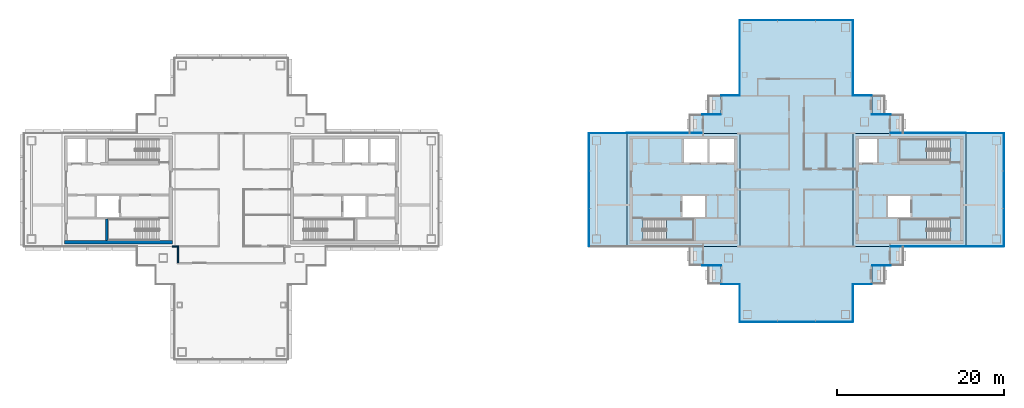
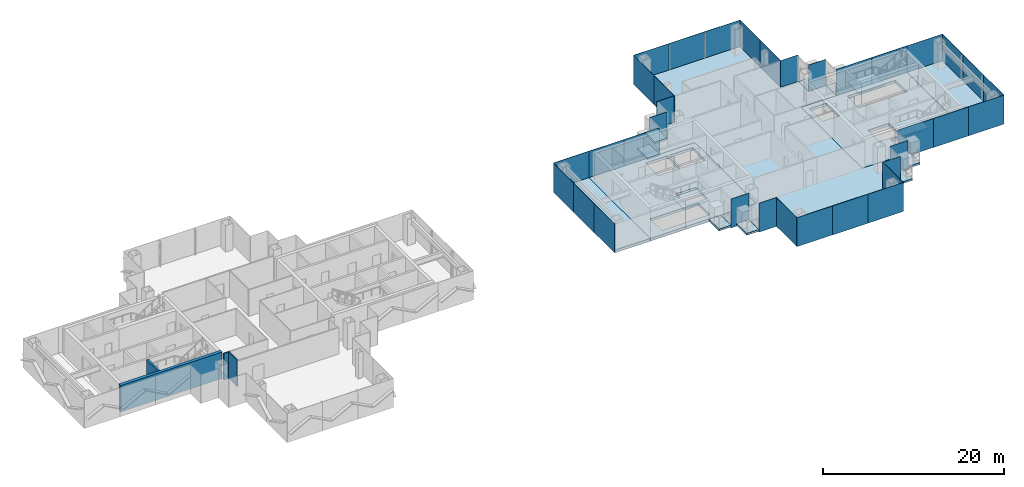
# One storey, part 8 of 17: 35 plates, 16 slabs, 4 walls, 21 elements without a shape of their own.
"""IFC4 building model written with IfcOpenShell, lengths in metres."""

from ifc_helpers import new_model, si_unit, direction, frame, frame_2d, origin, origin_2d, place, context, subcontext, project, spatial, polyline, rectangle, outline, extrude, material, layer, layer_set, type_object, element, aggregate, save


model = new_model("IFC4")

# Units and contexts
model_context = context("Model", 3, precision=1e-05, world=origin(), true_north=direction((0.0, 1.0)))
body_context = subcontext(model_context, "Body", "Model", "MODEL_VIEW")
ifc_project = project(units=[si_unit("LENGTHUNIT", "METRE"), si_unit("AREAUNIT", "SQUARE_METRE"), si_unit("VOLUMEUNIT", "CUBIC_METRE"), si_unit("PLANEANGLEUNIT", "RADIAN"), si_unit("MASSUNIT", "GRAM", prefix="KILO")], contexts=[model_context])

# Site, building, storey
site_placement = place(None, origin())
site = spatial("IfcSite", under=ifc_project, at=site_placement, CompositionType="ELEMENT")
building_placement = place(site_placement, origin())
building = spatial("IfcBuilding", under=site, at=building_placement, Name="Shamsa Quay Exchange Towers", CompositionType="ELEMENT")
storey_placement = place(building_placement, frame((0.0, 0.0, 194.39990234375)))
storey = spatial("IfcBuildingStorey", under=building, at=storey_placement, Name="L46", CompositionType="ELEMENT", Elevation=194.39990234375)

# Slabs
ifc_material_1 = material(Name="Precast concrete C40/50", Category="concrete")
ifc_layer_1 = layer(ifc_material_1, 0.25)
ifc_layer_set_1 = layer_set([ifc_layer_1], Name="BALCONY SLAB 250")
slab_type_1 = type_object("IfcSlabType", Name="BALCONY SLAB 250", PredefinedType="FLOOR", material=ifc_layer_set_1)
slab_1_placement = place(storey_placement, frame((0.0, 0.0, -0.25)))
element("IfcSlab", 1, at=slab_1_placement, inside=storey, type_object=slab_type_1, Name="Balcony T2-PKEN L46", PredefinedType="FLOOR", context=body_context, shape_type="SweptSolid", body=[
    extrude(outline(polyline([(24.75, 11.25), (24.75, 9.0380859375), (23.199951171875, 9.0380859375), (23.199951171875, 11.25), (24.75, 11.25)])), origin(), (0.0, 0.0, 1.0), 0.25),
])
slab_2_placement = place(storey_placement, frame((0.0, 0.0, -0.25)))
element("IfcSlab", 2, at=slab_2_placement, inside=storey, type_object=slab_type_1, Name="Balcony T2-PKEN L46", PredefinedType="FLOOR", context=body_context, shape_type="SweptSolid", body=[
    extrude(outline(polyline([(22.5, 9.0), (22.5, 6.7880859375), (20.949951171875, 6.7880859375), (20.949951171875, 9.0), (22.5, 9.0)])), origin(), (0.0, 0.0, 1.0), 0.25),
])
slab_3_placement = place(storey_placement, frame((0.0, 0.0, -0.25)))
element("IfcSlab", 3, at=slab_3_placement, inside=storey, type_object=slab_type_1, Name="Balcony T2-PKES L46", PredefinedType="FLOOR", context=body_context, shape_type="SweptSolid", body=[
    extrude(outline(polyline([(42.75, 9.0380859375), (42.75, 11.25), (44.300048828125, 11.25), (44.300048828125, 9.0380859375), (42.75, 9.0380859375)])), origin(), (0.0, 0.0, 1.0), 0.25),
])
slab_4_placement = place(storey_placement, frame((0.0, 0.0, -0.25)))
element("IfcSlab", 4, at=slab_4_placement, inside=storey, type_object=slab_type_1, Name="Balcony T2-PKES L46", PredefinedType="FLOOR", context=body_context, shape_type="SweptSolid", body=[
    extrude(outline(polyline([(45.0, 6.7880859375), (45.0, 9.0), (46.550048828125, 9.0), (46.550048828125, 6.7880859375), (45.0, 6.7880859375)])), origin(), (0.0, 0.0, 1.0), 0.25),
])
slab_5_placement = place(storey_placement, frame((0.0, 0.0, -0.25)))
element("IfcSlab", 5, at=slab_5_placement, inside=storey, type_object=slab_type_1, Name="Balcony T2-PKWN L46", PredefinedType="FLOOR", context=body_context, shape_type="SweptSolid", body=[
    extrude(outline(polyline([(22.5, -6.7880859375), (22.5, -9.0), (20.949951171875, -9.0), (20.949951171875, -6.7880859375), (22.5, -6.7880859375)])), origin(), (0.0, 0.0, 1.0), 0.25),
])
slab_6_placement = place(storey_placement, frame((0.0, 0.0, -0.25)))
element("IfcSlab", 6, at=slab_6_placement, inside=storey, type_object=slab_type_1, Name="Balcony T2-PKWN L46", PredefinedType="FLOOR", context=body_context, shape_type="SweptSolid", body=[
    extrude(outline(polyline([(24.75, -9.0380859375), (24.75, -11.25), (23.199951171875, -11.25), (23.199951171875, -9.0380859375), (24.75, -9.0380859375)])), origin(), (0.0, 0.0, 1.0), 0.25),
])
slab_7_placement = place(storey_placement, frame((0.0, 0.0, -0.25)))
element("IfcSlab", 7, at=slab_7_placement, inside=storey, type_object=slab_type_1, Name="Balcony T2-PKWS L46", PredefinedType="FLOOR", context=body_context, shape_type="SweptSolid", body=[
    extrude(outline(polyline([(42.75, -11.25), (42.75, -9.0380859375), (44.300048828125, -9.0380859375), (44.300048828125, -11.25), (42.75, -11.25)])), origin(), (0.0, 0.0, 1.0), 0.25),
])
slab_8_placement = place(storey_placement, frame((0.0, 0.0, -0.25)))
element("IfcSlab", 8, at=slab_8_placement, inside=storey, type_object=slab_type_1, Name="Balcony T2-PKWS L46", PredefinedType="FLOOR", context=body_context, shape_type="SweptSolid", body=[
    extrude(outline(polyline([(45.0, -9.0), (45.0, -6.7880859375), (46.550048828125, -6.7880859375), (46.550048828125, -9.0), (45.0, -9.0)])), origin(), (0.0, 0.0, 1.0), 0.25),
])
ifc_material_2 = material(Name="Concrete C50/60", Category="concrete")
ifc_layer_2 = layer(ifc_material_2, 0.35009765625)
ifc_layer_set_2 = layer_set([ifc_layer_2], Name="CORE FLOOR 350 C50/60")
slab_type_2 = type_object("IfcSlabType", Name="CORE FLOOR 350 C50/60", PredefinedType="FLOOR", material=ifc_layer_set_2)
slab_9_placement = place(storey_placement, frame((0.0, 0.0, -0.349853515625)))
element("IfcSlab", 9, at=slab_9_placement, inside=storey, type_object=slab_type_2, Name="Core floor T2A", PredefinedType="FLOOR", context=body_context, shape_type="SweptSolid", body=[
    extrude(outline(polyline([(13.5, -6.75), (27.0, -6.75), (27.0, 6.75), (13.5, 6.75), (13.5, -6.75)]), holes=[polyline([(15.400634765625, -6.050048828125), (15.400634765625, -3.5), (21.5, -3.5), (21.5, -6.050048828125), (15.400634765625, -6.050048828125)]), polyline([(20.300048828125, 3.25), (20.300048828125, 6.050048828125), (23.10009765625, 6.050048828125), (23.10009765625, 3.25), (20.300048828125, 3.25)]), polyline([(23.35009765625, 3.25), (23.35009765625, 6.050048828125), (26.300048828125, 6.050048828125), (26.300048828125, 3.25), (23.35009765625, 3.25)]), polyline([(20.14990234375, -3.25), (20.14990234375, -0.75), (22.800048828125, -0.75), (22.800048828125, -3.25), (20.14990234375, -3.25)])]), origin(), (0.0, 0.0, 1.0), 0.349853515625),
])
slab_10_placement = place(storey_placement, frame((0.0, 0.0, -0.349853515625)))
element("IfcSlab", 10, at=slab_10_placement, inside=storey, type_object=slab_type_2, Name="Core floor T2B", PredefinedType="FLOOR", context=body_context, shape_type="SweptSolid", body=[
    extrude(outline(polyline([(54.0, -6.75), (54.0, 6.75), (40.5, 6.75), (40.5, -6.75), (54.0, -6.75)]), holes=[polyline([(52.099365234375, -3.5), (52.099365234375, -6.050048828125), (46.0, -6.050048828125), (46.0, -3.5), (52.099365234375, -3.5)]), polyline([(52.099365234375, 6.050048828125), (52.099365234375, 3.5), (46.0, 3.5), (46.0, 6.050048828125), (52.099365234375, 6.050048828125)]), polyline([(43.35009765625, 3.25), (41.199951171875, 3.25), (41.199951171875, 6.050048828125), (43.35009765625, 6.050048828125), (43.35009765625, 3.25)]), polyline([(47.35009765625, -3.25), (44.699951171875, -3.25), (44.699951171875, -0.75), (47.35009765625, -0.75), (47.35009765625, -3.25)])]), origin(), (0.0, 0.0, 1.0), 0.349853515625),
])

# Stair, slab
ifc_material_3 = material(Name="Concrete C40/50", Category="concrete")
stair_type = type_object("IfcStairType", Name="EXIT STAIR 22 RISERS 177 MM", PredefinedType="HALF_TURN_STAIR", material=ifc_material_3)
stair_1_placement = place(storey_placement, origin())
stair_1 = element("IfcStair", 11, at=stair_1_placement, inside=storey, type_object=stair_type, Name="L46 Exit stair ST4", PredefinedType="HALF_TURN_STAIR")
ifc_layer_3 = layer(ifc_material_3, 0.199951171875)
ifc_layer_set_3 = layer_set([ifc_layer_3], Name="CORE STAIR LANDING")
slab_type_3 = type_object("IfcSlabType", Name="CORE STAIR LANDING", PredefinedType="LANDING", material=ifc_layer_set_3)
slab_11_placement = place(storey_placement, frame((0.0, 0.0, 1.75)))
slab_11 = element("IfcSlab", 12, at=slab_11_placement, type_object=slab_type_3, Name="ST4 landing 1", PredefinedType="LANDING", context=body_context, shape_type="SweptSolid", body=[
    extrude(outline(polyline([(18.199951171875, -6.050048828125), (21.5, -6.050048828125), (21.5, -3.5), (18.199951171875, -3.5), (18.199951171875, -6.050048828125)])), origin(), (0.0, 0.0, 1.0), 0.2001953125),
])
aggregate(stair_1, [slab_11])

stair_2_placement = place(storey_placement, origin())
stair_2 = element("IfcStair", 13, at=stair_2_placement, inside=storey, type_object=stair_type, Name="L46 Exit stair ST5", PredefinedType="HALF_TURN_STAIR")
slab_12_placement = place(storey_placement, frame((0.0, 0.0, 1.75)))
slab_12 = element("IfcSlab", 14, at=slab_12_placement, type_object=slab_type_3, Name="ST5 landing 1", PredefinedType="LANDING", context=body_context, shape_type="SweptSolid", body=[
    extrude(outline(polyline([(49.300048828125, -3.5), (46.0, -3.5), (46.0, -6.050048828125), (49.300048828125, -6.050048828125), (49.300048828125, -3.5)])), origin(), (0.0, 0.0, 1.0), 0.2001953125),
])
aggregate(stair_2, [slab_12])

stair_3_placement = place(storey_placement, origin())
stair_3 = element("IfcStair", 15, at=stair_3_placement, inside=storey, type_object=stair_type, Name="L46 Exit stair ST6", PredefinedType="HALF_TURN_STAIR")
slab_13_placement = place(storey_placement, frame((0.0, 0.0, 1.75)))
slab_13 = element("IfcSlab", 16, at=slab_13_placement, type_object=slab_type_3, Name="ST6 landing 1", PredefinedType="LANDING", context=body_context, shape_type="SweptSolid", body=[
    extrude(outline(polyline([(49.300048828125, 6.050048828125), (46.0, 6.050048828125), (46.0, 3.5), (49.300048828125, 3.5), (49.300048828125, 6.050048828125)])), origin(), (0.0, 0.0, 1.0), 0.2001953125),
])
aggregate(stair_3, [slab_13])

# Curtain wall, plate
ifc_material_4 = material(Name="Aluminium EN AW-6063 T6, black anodised", Category="aluminium")
ifc_layer_4 = layer(ifc_material_4, 0.280029296875)
ifc_layer_set_4 = layer_set([ifc_layer_4], Name="CW-1 UNITISED VISION GLASS")
curtain_wall_type_1 = type_object("IfcCurtainWallType", Name="CW-1 UNITISED VISION GLASS", PredefinedType="NOTDEFINED", material=ifc_layer_set_4)
curtain_wall_1_placement = place(storey_placement, origin())
curtain_wall_1 = element("IfcCurtainWall", 17, at=curtain_wall_1_placement, inside=storey, type_object=curtain_wall_type_1, Name="CW1 T2-FLK-V-W L46", PredefinedType="NOTDEFINED")
ifc_material_5 = material(Name="Glass, laminated, dark tinted", Category="glass")
ifc_layer_5 = layer(ifc_material_5, 0.0400390625)
ifc_layer_set_5 = layer_set([ifc_layer_5], Name="CW-1 VISION GLASS 40")
plate_type_1 = type_object("IfcPlateType", Name="CW-1 VISION GLASS 40", PredefinedType="CURTAIN_PANEL", material=ifc_layer_set_5)
plate_1_placement = place(storey_placement, frame((56.25, -6.77001953125, -0.349853515625)))
plate_1 = element("IfcPlate", 18, at=plate_1_placement, type_object=plate_type_1, Name="CW1 glass panel", PredefinedType="CURTAIN_PANEL", context=body_context, shape_type="SweptSolid", body=[
    extrude(rectangle(XDim=4.5, YDim=0.0400390625, at=origin_2d()), origin(), (0.0, 0.0, 1.0), 3.89990234375),
])
aggregate(curtain_wall_1, [plate_1])

# Curtain wall, plates
curtain_wall_2_placement = place(storey_placement, origin())
curtain_wall_2 = element("IfcCurtainWall", 19, at=curtain_wall_2_placement, inside=storey, type_object=curtain_wall_type_1, Name="CW1 T2-END-V- L46", PredefinedType="NOTDEFINED")
plate_2_placement = place(storey_placement, frame((58.52001953125, -4.50244140625, -0.349853515625), z_axis=(0.0, 0.0, 1.0), x_axis=(0.0, 1.0, 0.0)))
plate_2 = element("IfcPlate", 20, at=plate_2_placement, type_object=plate_type_1, Name="CW1 glass panel", PredefinedType="CURTAIN_PANEL", context=body_context, shape_type="SweptSolid", body=[
    extrude(rectangle(XDim=4.4951171875, YDim=0.0400390625, at=origin_2d()), origin(), (0.0, 0.0, 1.0), 3.89990234375),
])
plate_3_placement = place(storey_placement, frame((58.52001953125, 0.0, -0.349853515625), z_axis=(0.0, 0.0, 1.0), x_axis=(0.0, 1.0, 0.0)))
plate_3 = element("IfcPlate", 21, at=plate_3_placement, type_object=plate_type_1, Name="CW1 glass panel", PredefinedType="CURTAIN_PANEL", context=body_context, shape_type="SweptSolid", body=[
    extrude(rectangle(XDim=4.489990234375, YDim=0.0400390625, at=origin_2d()), origin(), (0.0, 0.0, 1.0), 3.89990234375),
])
plate_4_placement = place(storey_placement, frame((58.52001953125, 4.50244140625, -0.349853515625), z_axis=(0.0, 0.0, 1.0), x_axis=(0.0, 1.0, 0.0)))
plate_4 = element("IfcPlate", 22, at=plate_4_placement, type_object=plate_type_1, Name="CW1 glass panel", PredefinedType="CURTAIN_PANEL", context=body_context, shape_type="SweptSolid", body=[
    extrude(rectangle(XDim=4.4951171875, YDim=0.0400390625, at=origin_2d()), origin(), (0.0, 0.0, 1.0), 3.89990234375),
])
aggregate(curtain_wall_2, [plate_2, plate_3, plate_4])

# Curtain wall, plate
curtain_wall_3_placement = place(storey_placement, origin())
curtain_wall_3 = element("IfcCurtainWall", 23, at=curtain_wall_3_placement, inside=storey, type_object=curtain_wall_type_1, Name="CW1 T2-FLK-V-E L46", PredefinedType="NOTDEFINED")
plate_5_placement = place(storey_placement, frame((56.25, 6.77001953125, -0.349853515625), z_axis=(0.0, 0.0, 1.0), x_axis=(-1.0, 0.0, 0.0)))
plate_5 = element("IfcPlate", 24, at=plate_5_placement, type_object=plate_type_1, Name="CW1 glass panel", PredefinedType="CURTAIN_PANEL", context=body_context, shape_type="SweptSolid", body=[
    extrude(rectangle(XDim=4.5, YDim=0.0400390625, at=origin_2d()), origin(), (0.0, 0.0, 1.0), 3.89990234375),
])
aggregate(curtain_wall_3, [plate_5])

# Curtain wall, plates
curtain_wall_4_placement = place(storey_placement, origin())
curtain_wall_4 = element("IfcCurtainWall", 25, at=curtain_wall_4_placement, inside=storey, type_object=curtain_wall_type_1, Name="CW1 T2-FLK-U+S L46", PredefinedType="NOTDEFINED")
plate_6_placement = place(storey_placement, frame((40.52001953125, 13.52587890625, -0.349853515625), z_axis=(0.0, 0.0, 1.0), x_axis=(0.0, 1.0, 0.0)))
plate_6 = element("IfcPlate", 26, at=plate_6_placement, type_object=plate_type_1, Name="CW1 glass panel", PredefinedType="CURTAIN_PANEL", context=body_context, shape_type="SweptSolid", body=[
    extrude(rectangle(XDim=4.47607421875, YDim=0.0400390625, at=origin_2d()), origin(), (0.0, 0.0, 1.0), 3.89990234375),
])
plate_7_placement = place(storey_placement, frame((40.52001953125, 18.011962890625, -0.349853515625), z_axis=(0.0, 0.0, 1.0), x_axis=(0.0, 1.0, 0.0)))
plate_7 = element("IfcPlate", 27, at=plate_7_placement, type_object=plate_type_1, Name="CW1 glass panel", PredefinedType="CURTAIN_PANEL", context=body_context, shape_type="SweptSolid", body=[
    extrude(rectangle(XDim=4.47607421875, YDim=0.0400390625, at=origin_2d()), origin(), (0.0, 0.0, 1.0), 3.89990234375),
])
aggregate(curtain_wall_4, [plate_6, plate_7])

curtain_wall_5_placement = place(storey_placement, origin())
curtain_wall_5 = element("IfcCurtainWall", 28, at=curtain_wall_5_placement, inside=storey, type_object=curtain_wall_type_1, Name="CW1 T2-END-U+ L46", PredefinedType="NOTDEFINED")
plate_8_placement = place(storey_placement, frame((38.25244140625, 20.27001953125, -0.349853515625), z_axis=(0.0, 0.0, 1.0), x_axis=(-1.0, 0.0, 0.0)))
plate_8 = element("IfcPlate", 29, at=plate_8_placement, type_object=plate_type_1, Name="CW1 glass panel", PredefinedType="CURTAIN_PANEL", context=body_context, shape_type="SweptSolid", body=[
    extrude(rectangle(XDim=4.4951171875, YDim=0.0400390625, at=origin_2d()), origin(), (0.0, 0.0, 1.0), 3.89990234375),
])
plate_9_placement = place(storey_placement, frame((33.75, 20.27001953125, -0.349853515625), z_axis=(0.0, 0.0, 1.0), x_axis=(-1.0, 0.0, 0.0)))
plate_9 = element("IfcPlate", 30, at=plate_9_placement, type_object=plate_type_1, Name="CW1 glass panel", PredefinedType="CURTAIN_PANEL", context=body_context, shape_type="SweptSolid", body=[
    extrude(rectangle(XDim=4.489990234375, YDim=0.0400390625, at=origin_2d()), origin(), (0.0, 0.0, 1.0), 3.89990234375),
])
plate_10_placement = place(storey_placement, frame((29.24755859375, 20.27001953125, -0.349853515625), z_axis=(0.0, 0.0, 1.0), x_axis=(-1.0, 0.0, 0.0)))
plate_10 = element("IfcPlate", 31, at=plate_10_placement, type_object=plate_type_1, Name="CW1 glass panel", PredefinedType="CURTAIN_PANEL", context=body_context, shape_type="SweptSolid", body=[
    extrude(rectangle(XDim=4.4951171875, YDim=0.0400390625, at=origin_2d()), origin(), (0.0, 0.0, 1.0), 3.89990234375),
])
aggregate(curtain_wall_5, [plate_8, plate_9, plate_10])

curtain_wall_6_placement = place(storey_placement, origin())
curtain_wall_6 = element("IfcCurtainWall", 32, at=curtain_wall_6_placement, inside=storey, type_object=curtain_wall_type_1, Name="CW1 T2-FLK-U+N L46", PredefinedType="NOTDEFINED")
plate_11_placement = place(storey_placement, frame((26.97998046875, 18.00244140625, -0.349853515625), z_axis=(0.0, 0.0, 1.0), x_axis=(0.0, -1.0, 0.0)))
plate_11 = element("IfcPlate", 33, at=plate_11_placement, type_object=plate_type_1, Name="CW1 glass panel", PredefinedType="CURTAIN_PANEL", context=body_context, shape_type="SweptSolid", body=[
    extrude(rectangle(XDim=4.4951171875, YDim=0.0400390625, at=origin_2d()), origin(), (0.0, 0.0, 1.0), 3.89990234375),
])
plate_12_placement = place(storey_placement, frame((26.97998046875, 13.49755859375, -0.349853515625), z_axis=(0.0, 0.0, 1.0), x_axis=(0.0, -1.0, 0.0)))
plate_12 = element("IfcPlate", 34, at=plate_12_placement, type_object=plate_type_1, Name="CW1 glass panel", PredefinedType="CURTAIN_PANEL", context=body_context, shape_type="SweptSolid", body=[
    extrude(rectangle(XDim=4.4951171875, YDim=0.0400390625, at=origin_2d()), origin(), (0.0, 0.0, 1.0), 3.89990234375),
])
aggregate(curtain_wall_6, [plate_11, plate_12])

# Curtain wall, plate
curtain_wall_7_placement = place(storey_placement, origin())
curtain_wall_7 = element("IfcCurtainWall", 35, at=curtain_wall_7_placement, inside=storey, type_object=curtain_wall_type_1, Name="CW1 T2-FLK-V+E L46", PredefinedType="NOTDEFINED")
plate_13_placement = place(storey_placement, frame((11.25, 6.77001953125, -0.349853515625), z_axis=(0.0, 0.0, 1.0), x_axis=(-1.0, 0.0, 0.0)))
plate_13 = element("IfcPlate", 36, at=plate_13_placement, type_object=plate_type_1, Name="CW1 glass panel", PredefinedType="CURTAIN_PANEL", context=body_context, shape_type="SweptSolid", body=[
    extrude(rectangle(XDim=4.5, YDim=0.0400390625, at=origin_2d()), origin(), (0.0, 0.0, 1.0), 3.89990234375),
])
aggregate(curtain_wall_7, [plate_13])

# Curtain wall, plates
curtain_wall_8_placement = place(storey_placement, origin())
curtain_wall_8 = element("IfcCurtainWall", 37, at=curtain_wall_8_placement, inside=storey, type_object=curtain_wall_type_1, Name="CW1 T2-END-V+ L46", PredefinedType="NOTDEFINED")
plate_14_placement = place(storey_placement, frame((8.97998046875, 4.50244140625, -0.349853515625), z_axis=(0.0, 0.0, 1.0), x_axis=(0.0, -1.0, 0.0)))
plate_14 = element("IfcPlate", 38, at=plate_14_placement, type_object=plate_type_1, Name="CW1 glass panel", PredefinedType="CURTAIN_PANEL", context=body_context, shape_type="SweptSolid", body=[
    extrude(rectangle(XDim=4.4951171875, YDim=0.0400390625, at=origin_2d()), origin(), (0.0, 0.0, 1.0), 3.89990234375),
])
plate_15_placement = place(storey_placement, frame((8.97998046875, 0.0, -0.349853515625), z_axis=(0.0, 0.0, 1.0), x_axis=(0.0, -1.0, 0.0)))
plate_15 = element("IfcPlate", 39, at=plate_15_placement, type_object=plate_type_1, Name="CW1 glass panel", PredefinedType="CURTAIN_PANEL", context=body_context, shape_type="SweptSolid", body=[
    extrude(rectangle(XDim=4.489990234375, YDim=0.0400390625, at=origin_2d()), origin(), (0.0, 0.0, 1.0), 3.89990234375),
])
plate_16_placement = place(storey_placement, frame((8.97998046875, -4.50244140625, -0.349853515625), z_axis=(0.0, 0.0, 1.0), x_axis=(0.0, -1.0, 0.0)))
plate_16 = element("IfcPlate", 40, at=plate_16_placement, type_object=plate_type_1, Name="CW1 glass panel", PredefinedType="CURTAIN_PANEL", context=body_context, shape_type="SweptSolid", body=[
    extrude(rectangle(XDim=4.4951171875, YDim=0.0400390625, at=origin_2d()), origin(), (0.0, 0.0, 1.0), 3.89990234375),
])
aggregate(curtain_wall_8, [plate_14, plate_15, plate_16])

# Curtain wall, plate
curtain_wall_9_placement = place(storey_placement, origin())
curtain_wall_9 = element("IfcCurtainWall", 41, at=curtain_wall_9_placement, inside=storey, type_object=curtain_wall_type_1, Name="CW1 T2-FLK-U-N L46", PredefinedType="NOTDEFINED")
plate_17_placement = place(storey_placement, frame((26.97998046875, -13.51904296875, -0.349853515625), z_axis=(0.0, 0.0, 1.0), x_axis=(0.0, -1.0, 0.0)))
plate_17 = element("IfcPlate", 42, at=plate_17_placement, type_object=plate_type_1, Name="CW1 glass panel", PredefinedType="CURTAIN_PANEL", context=body_context, shape_type="SweptSolid", body=[
    extrude(rectangle(XDim=4.4619140625, YDim=0.0400390625, at=origin_2d()), origin(), (0.0, 0.0, 1.0), 3.89990234375),
])
aggregate(curtain_wall_9, [plate_17])

# Curtain wall, plates
curtain_wall_10_placement = place(storey_placement, origin())
curtain_wall_10 = element("IfcCurtainWall", 43, at=curtain_wall_10_placement, inside=storey, type_object=curtain_wall_type_1, Name="CW1 T2-END-U- L46", PredefinedType="NOTDEFINED")
plate_18_placement = place(storey_placement, frame((29.24755859375, -15.77001953125, -0.349853515625)))
plate_18 = element("IfcPlate", 44, at=plate_18_placement, type_object=plate_type_1, Name="CW1 glass panel", PredefinedType="CURTAIN_PANEL", context=body_context, shape_type="SweptSolid", body=[
    extrude(rectangle(XDim=4.4951171875, YDim=0.0400390625, at=origin_2d()), origin(), (0.0, 0.0, 1.0), 3.89990234375),
])
plate_19_placement = place(storey_placement, frame((33.75, -15.77001953125, -0.349853515625)))
plate_19 = element("IfcPlate", 45, at=plate_19_placement, type_object=plate_type_1, Name="CW1 glass panel", PredefinedType="CURTAIN_PANEL", context=body_context, shape_type="SweptSolid", body=[
    extrude(rectangle(XDim=4.489990234375, YDim=0.0400390625, at=origin_2d()), origin(), (0.0, 0.0, 1.0), 3.89990234375),
])
plate_20_placement = place(storey_placement, frame((38.25244140625, -15.77001953125, -0.349853515625)))
plate_20 = element("IfcPlate", 46, at=plate_20_placement, type_object=plate_type_1, Name="CW1 glass panel", PredefinedType="CURTAIN_PANEL", context=body_context, shape_type="SweptSolid", body=[
    extrude(rectangle(XDim=4.4951171875, YDim=0.0400390625, at=origin_2d()), origin(), (0.0, 0.0, 1.0), 3.89990234375),
])
aggregate(curtain_wall_10, [plate_18, plate_19, plate_20])

# Curtain wall, plate
curtain_wall_11_placement = place(storey_placement, origin())
curtain_wall_11 = element("IfcCurtainWall", 47, at=curtain_wall_11_placement, inside=storey, type_object=curtain_wall_type_1, Name="CW1 T2-FLK-U-S L46", PredefinedType="NOTDEFINED")
plate_21_placement = place(storey_placement, frame((40.52001953125, -13.5, -0.349853515625), z_axis=(0.0, 0.0, 1.0), x_axis=(0.0, 1.0, 0.0)))
plate_21 = element("IfcPlate", 48, at=plate_21_placement, type_object=plate_type_1, Name="CW1 glass panel", PredefinedType="CURTAIN_PANEL", context=body_context, shape_type="SweptSolid", body=[
    extrude(rectangle(XDim=4.5, YDim=0.0400390625, at=origin_2d()), origin(), (0.0, 0.0, 1.0), 3.89990234375),
])
aggregate(curtain_wall_11, [plate_21])

# Curtain wall, plates
ifc_layer_6 = layer(ifc_material_4, 0.303955078125)
ifc_layer_set_6 = layer_set([ifc_layer_6], Name="CW-2 UNITISED OPAQUE SPANDREL GLASS")
curtain_wall_type_2 = type_object("IfcCurtainWallType", Name="CW-2 UNITISED OPAQUE SPANDREL GLASS", PredefinedType="NOTDEFINED", material=ifc_layer_set_6)
curtain_wall_12_placement = place(storey_placement, origin())
curtain_wall_12 = element("IfcCurtainWall", 49, at=curtain_wall_12_placement, inside=storey, type_object=curtain_wall_type_2, Name="CW2 T2-FLK-V-W L46", PredefinedType="NOTDEFINED")
ifc_material_6 = material(Name="Glass, laminated, black enamelled opaque", Category="glass")
ifc_layer_7 = layer(ifc_material_6, 0.0439453125)
ifc_layer_set_7 = layer_set([ifc_layer_7], Name="CW-2 SPANDREL GLASS 44")
plate_type_2 = type_object("IfcPlateType", Name="CW-2 SPANDREL GLASS 44", PredefinedType="CURTAIN_PANEL", material=ifc_layer_set_7)
plate_22_placement = place(storey_placement, frame((47.27587890625, -6.77197265625, -0.349853515625)))
plate_22 = element("IfcPlate", 50, at=plate_22_placement, type_object=plate_type_2, Name="CW2 glass panel", PredefinedType="CURTAIN_PANEL", context=body_context, shape_type="SweptSolid", body=[
    extrude(rectangle(XDim=4.47607421875, YDim=0.0439453125, at=origin_2d()), origin(), (0.0, 0.0, 1.0), 3.89990234375),
])
plate_23_placement = place(storey_placement, frame((51.761962890625, -6.77197265625, -0.349853515625)))
plate_23 = element("IfcPlate", 51, at=plate_23_placement, type_object=plate_type_2, Name="CW2 glass panel", PredefinedType="CURTAIN_PANEL", context=body_context, shape_type="SweptSolid", body=[
    extrude(rectangle(XDim=4.47607421875, YDim=0.0439453125, at=origin_2d()), origin(), (0.0, 0.0, 1.0), 3.89990234375),
])
aggregate(curtain_wall_12, [plate_22, plate_23])

curtain_wall_13_placement = place(storey_placement, origin())
curtain_wall_13 = element("IfcCurtainWall", 52, at=curtain_wall_13_placement, inside=storey, type_object=curtain_wall_type_2, Name="CW2 T2-FLK-V-E L46", PredefinedType="NOTDEFINED")
plate_24_placement = place(storey_placement, frame((51.75244140625, 6.77197265625, -0.349853515625), z_axis=(0.0, 0.0, 1.0), x_axis=(-1.0, 0.0, 0.0)))
plate_24 = element("IfcPlate", 53, at=plate_24_placement, type_object=plate_type_2, Name="CW2 glass panel", PredefinedType="CURTAIN_PANEL", context=body_context, shape_type="SweptSolid", body=[
    extrude(rectangle(XDim=4.4951171875, YDim=0.0439453125, at=origin_2d()), origin(), (0.0, 0.0, 1.0), 3.89990234375),
])
plate_25_placement = place(storey_placement, frame((47.24755859375, 6.77197265625, -0.349853515625), z_axis=(0.0, 0.0, 1.0), x_axis=(-1.0, 0.0, 0.0)))
plate_25 = element("IfcPlate", 54, at=plate_25_placement, type_object=plate_type_2, Name="CW2 glass panel", PredefinedType="CURTAIN_PANEL", context=body_context, shape_type="SweptSolid", body=[
    extrude(rectangle(XDim=4.4951171875, YDim=0.0439453125, at=origin_2d()), origin(), (0.0, 0.0, 1.0), 3.89990234375),
])
aggregate(curtain_wall_13, [plate_24, plate_25])

curtain_wall_14_placement = place(storey_placement, origin())
curtain_wall_14 = element("IfcCurtainWall", 55, at=curtain_wall_14_placement, inside=storey, type_object=curtain_wall_type_2, Name="CW2 T2-FLK-V+E L46", PredefinedType="NOTDEFINED")
plate_26_placement = place(storey_placement, frame((20.22412109375, 6.77197265625, -0.349853515625), z_axis=(0.0, 0.0, 1.0), x_axis=(-1.0, 0.0, 0.0)))
plate_26 = element("IfcPlate", 56, at=plate_26_placement, type_object=plate_type_2, Name="CW2 glass panel", PredefinedType="CURTAIN_PANEL", context=body_context, shape_type="SweptSolid", body=[
    extrude(rectangle(XDim=4.47607421875, YDim=0.0439453125, at=origin_2d()), origin(), (0.0, 0.0, 1.0), 3.89990234375),
])
plate_27_placement = place(storey_placement, frame((15.738037109375, 6.77197265625, -0.349853515625), z_axis=(0.0, 0.0, 1.0), x_axis=(-1.0, 0.0, 0.0)))
plate_27 = element("IfcPlate", 57, at=plate_27_placement, type_object=plate_type_2, Name="CW2 glass panel", PredefinedType="CURTAIN_PANEL", context=body_context, shape_type="SweptSolid", body=[
    extrude(rectangle(XDim=4.47607421875, YDim=0.0439453125, at=origin_2d()), origin(), (0.0, 0.0, 1.0), 3.89990234375),
])
aggregate(curtain_wall_14, [plate_26, plate_27])

ifc_layer_8 = layer(ifc_material_4, 0.256103515625)
ifc_layer_set_8 = layer_set([ifc_layer_8], Name="CW-4 POCKET SERRATED GLAZING")
curtain_wall_type_3 = type_object("IfcCurtainWallType", Name="CW-4 POCKET SERRATED GLAZING", PredefinedType="NOTDEFINED", material=ifc_layer_set_8)
curtain_wall_15_placement = place(storey_placement, origin())
curtain_wall_15 = element("IfcCurtainWall", 58, at=curtain_wall_15_placement, inside=storey, type_object=curtain_wall_type_3, Name="CW4 PKWS L46", PredefinedType="NOTDEFINED")
ifc_layer_9 = layer(ifc_material_5, 0.035888671875)
ifc_layer_set_9 = layer_set([ifc_layer_9], Name="CW-4 POCKET GLASS 36")
plate_type_3 = type_object("IfcPlateType", Name="CW-4 POCKET GLASS 36", PredefinedType="CURTAIN_PANEL", material=ifc_layer_set_9)
plate_28_placement = place(storey_placement, frame((43.89404296875, -9.01806640625, -0.349853515625)))
plate_28 = element("IfcPlate", 59, at=plate_28_placement, type_object=plate_type_3, Name="CW4 glass panel", PredefinedType="CURTAIN_PANEL", context=body_context, shape_type="SweptSolid", body=[
    extrude(rectangle(XDim=2.2119140625, YDim=0.035888671875, at=origin_2d()), origin(), (0.0, 0.0, 1.0), 3.89990234375),
])
plate_29_placement = place(storey_placement, frame((41.64599609375, -11.26806640625, -0.349853515625)))
plate_29 = element("IfcPlate", 60, at=plate_29_placement, type_object=plate_type_3, Name="CW4 glass panel", PredefinedType="CURTAIN_PANEL", context=body_context, shape_type="SweptSolid", body=[
    extrude(rectangle(XDim=2.2080078125, YDim=0.035888671875, at=origin_2d()), origin(), (0.0, 0.0, 1.0), 3.89990234375),
])
aggregate(curtain_wall_15, [plate_28, plate_29])

curtain_wall_16_placement = place(storey_placement, origin())
curtain_wall_16 = element("IfcCurtainWall", 61, at=curtain_wall_16_placement, inside=storey, type_object=curtain_wall_type_3, Name="CW4 PKES L46", PredefinedType="NOTDEFINED")
plate_30_placement = place(storey_placement, frame((43.875, 9.01806640625, -0.349853515625), z_axis=(0.0, 0.0, 1.0), x_axis=(-1.0, 0.0, 0.0)))
plate_30 = element("IfcPlate", 62, at=plate_30_placement, type_object=plate_type_3, Name="CW4 glass panel", PredefinedType="CURTAIN_PANEL", context=body_context, shape_type="SweptSolid", body=[
    extrude(rectangle(XDim=2.25, YDim=0.035888671875, at=origin_2d()), origin(), (0.0, 0.0, 1.0), 3.89990234375),
])
plate_31_placement = place(storey_placement, frame((41.625, 11.26806640625, -0.349853515625), z_axis=(0.0, 0.0, 1.0), x_axis=(-1.0, 0.0, 0.0)))
plate_31 = element("IfcPlate", 63, at=plate_31_placement, type_object=plate_type_3, Name="CW4 glass panel", PredefinedType="CURTAIN_PANEL", context=body_context, shape_type="SweptSolid", body=[
    extrude(rectangle(XDim=2.25, YDim=0.035888671875, at=origin_2d()), origin(), (0.0, 0.0, 1.0), 3.89990234375),
])
aggregate(curtain_wall_16, [plate_30, plate_31])

curtain_wall_17_placement = place(storey_placement, origin())
curtain_wall_17 = element("IfcCurtainWall", 64, at=curtain_wall_17_placement, inside=storey, type_object=curtain_wall_type_3, Name="CW4 PKEN L46", PredefinedType="NOTDEFINED")
plate_32_placement = place(storey_placement, frame((25.85400390625, 11.26806640625, -0.349853515625), z_axis=(0.0, 0.0, 1.0), x_axis=(-1.0, 0.0, 0.0)))
plate_32 = element("IfcPlate", 65, at=plate_32_placement, type_object=plate_type_3, Name="CW4 glass panel", PredefinedType="CURTAIN_PANEL", context=body_context, shape_type="SweptSolid", body=[
    extrude(rectangle(XDim=2.2080078125, YDim=0.035888671875, at=origin_2d()), origin(), (0.0, 0.0, 1.0), 3.89990234375),
])
plate_33_placement = place(storey_placement, frame((23.60595703125, 9.01806640625, -0.349853515625), z_axis=(0.0, 0.0, 1.0), x_axis=(-1.0, 0.0, 0.0)))
plate_33 = element("IfcPlate", 66, at=plate_33_placement, type_object=plate_type_3, Name="CW4 glass panel", PredefinedType="CURTAIN_PANEL", context=body_context, shape_type="SweptSolid", body=[
    extrude(rectangle(XDim=2.2119140625, YDim=0.035888671875, at=origin_2d()), origin(), (0.0, 0.0, 1.0), 3.89990234375),
])
aggregate(curtain_wall_17, [plate_32, plate_33])

curtain_wall_18_placement = place(storey_placement, origin())
curtain_wall_18 = element("IfcCurtainWall", 67, at=curtain_wall_18_placement, inside=storey, type_object=curtain_wall_type_3, Name="CW4 PKWN L46", PredefinedType="NOTDEFINED")
plate_34_placement = place(storey_placement, frame((23.625, -9.01806640625, -0.349853515625)))
plate_34 = element("IfcPlate", 68, at=plate_34_placement, type_object=plate_type_3, Name="CW4 glass panel", PredefinedType="CURTAIN_PANEL", context=body_context, shape_type="SweptSolid", body=[
    extrude(rectangle(XDim=2.25, YDim=0.035888671875, at=origin_2d()), origin(), (0.0, 0.0, 1.0), 3.89990234375),
])
plate_35_placement = place(storey_placement, frame((25.875, -11.26806640625, -0.349853515625)))
plate_35 = element("IfcPlate", 69, at=plate_35_placement, type_object=plate_type_3, Name="CW4 glass panel", PredefinedType="CURTAIN_PANEL", context=body_context, shape_type="SweptSolid", body=[
    extrude(rectangle(XDim=2.25, YDim=0.035888671875, at=origin_2d()), origin(), (0.0, 0.0, 1.0), 3.89990234375),
])
aggregate(curtain_wall_18, [plate_34, plate_35])

# Slabs
ifc_layer_10 = layer(ifc_material_3, 0.35009765625)
ifc_layer_set_10 = layer_set([ifc_layer_10], Name="Flat slab 350")
slab_type_4 = type_object("IfcSlabType", Name="Flat slab 350", PredefinedType="FLOOR", material=ifc_layer_set_10)
slab_14_placement = place(storey_placement, frame((0.0, 0.0, -0.349853515625)))
element("IfcSlab", 70, at=slab_14_placement, inside=storey, type_object=slab_type_4, Name="Flat slab T2 L46 4", PredefinedType="FLOOR", context=body_context, shape_type="SweptSolid", body=[
    extrude(outline(polyline([(9.0, -6.75), (13.5, -6.75), (13.5, 6.75), (9.0, 6.75), (9.0, -6.75)])), origin(), (0.0, 0.0, 1.0), 0.349853515625),
])
slab_15_placement = place(storey_placement, frame((0.0, 0.0, -0.349853515625)))
element("IfcSlab", 71, at=slab_15_placement, inside=storey, type_object=slab_type_4, Name="Flat slab T2 L46 5", PredefinedType="FLOOR", context=body_context, shape_type="SweptSolid", body=[
    extrude(outline(polyline([(45.0, -9.0), (45.0, -6.75), (40.5, -6.75), (40.5, 6.75), (45.0, 6.75), (45.0, 9.0), (42.75, 9.0), (42.75, 11.25), (40.5, 11.25), (40.5, 20.25), (27.0, 20.25), (27.0, 11.25), (24.75, 11.25), (24.75, 9.0), (22.5, 9.0), (22.5, 6.75), (27.0, 6.75), (27.0, -6.75), (22.5, -6.75), (22.5, -9.0), (24.75, -9.0), (24.75, -11.25), (27.0, -11.25), (27.0, -15.75), (40.5, -15.75), (40.5, -11.25), (42.75, -11.25), (42.75, -9.0), (45.0, -9.0)])), origin(), (0.0, 0.0, 1.0), 0.349853515625),
])
slab_16_placement = place(storey_placement, frame((0.0, 0.0, -0.349853515625)))
element("IfcSlab", 72, at=slab_16_placement, inside=storey, type_object=slab_type_4, Name="Flat slab T2 L46 6", PredefinedType="FLOOR", context=body_context, shape_type="SweptSolid", body=[
    extrude(outline(polyline([(58.5, 6.75), (54.0, 6.75), (54.0, -6.75), (58.5, -6.75), (58.5, 6.75)])), origin(), (0.0, 0.0, 1.0), 0.349853515625),
])

# Walls
ifc_material_7 = material(Name="Concrete C60/75", Category="concrete")
ifc_layer_11 = layer(ifc_material_7, 0.39990234375)
ifc_layer_set_11 = layer_set([ifc_layer_11], Name="CORE WALL 400 C60/75")
wall_type_1 = type_object("IfcWallType", Name="CORE WALL 400 C60/75", PredefinedType="SHEAR", material=ifc_layer_set_11)
wall_1_placement = place(storey_placement, frame((-40.800048828125, -6.25, 0.0), z_axis=(0.0, 0.0, 1.0), x_axis=(-1.0, 0.0, 0.0)))
element("IfcWall", 73, at=wall_1_placement, inside=storey, type_object=wall_type_1, Name="Core wall T1B-R21-PS", PredefinedType="SHEAR", context=body_context, shape_type="SweptSolid", body=[
    extrude(rectangle(XDim=12.89990234375, YDim=0.39990234375, at=frame_2d((6.449951171875, 0.0))), origin(), (0.0, 0.0, 1.0), 3.550048828125),
])
ifc_material_8 = material(Name="Gypsum board partition on metal studs")
ifc_layer_12 = layer(ifc_material_8, 0.14990234375)
ifc_layer_set_12 = layer_set([ifc_layer_12], Name="Partition 150 mm EI 60")
wall_type_2 = type_object("IfcWallType", Name="Partition 150 mm EI 60", PredefinedType="PARTITIONING", material=ifc_layer_set_12)
wall_2_placement = place(storey_placement, frame((-40.125, -6.824951171875, 0.0), z_axis=(0.0, 0.0, 1.0), x_axis=(0.0, -1.0, 0.0)))
element("IfcWall", 74, at=wall_2_placement, inside=storey, type_object=wall_type_2, Name="Partition T1-R21-W14", PredefinedType="PARTITIONING", context=body_context, shape_type="SweptSolid", body=[
    extrude(rectangle(XDim=1.85009765625, YDim=0.14990234375, at=frame_2d((0.925048828125, 0.0))), origin(), (0.0, 0.0, 1.0), 3.550048828125),
])
wall_3_placement = place(storey_placement, frame((-40.800048828125, -6.75, 0.0)))
element("IfcWall", 75, at=wall_3_placement, inside=storey, type_object=wall_type_2, Name="Partition T1-R21-W18", PredefinedType="PARTITIONING", context=body_context, shape_type="SweptSolid", body=[
    extrude(rectangle(XDim=0.75, YDim=0.14990234375, at=frame_2d((0.375, 0.0))), origin(), (0.0, 0.0, 1.0), 3.550048828125),
])
ifc_layer_13 = layer(ifc_material_2, 0.25)
ifc_layer_set_13 = layer_set([ifc_layer_13], Name="SHAFT WALL 250 C50/60")
wall_type_3 = type_object("IfcWallType", Name="SHAFT WALL 250 C50/60", PredefinedType="SHEAR", material=ifc_layer_set_13)
wall_4_placement = place(storey_placement, frame((-48.625, -6.050048828125, 0.0), z_axis=(0.0, 0.0, 1.0), x_axis=(0.0, 1.0, 0.0)))
element("IfcWall", 76, at=wall_4_placement, inside=storey, type_object=wall_type_3, Name="Shaft wall T1B-R21-STF", PredefinedType="SHEAR", context=body_context, shape_type="SweptSolid", body=[
    extrude(rectangle(XDim=2.550048828125, YDim=0.25, at=frame_2d((1.27490234375, 0.0))), origin(), (0.0, 0.0, 1.0), 3.550048828125),
])

save(model, "model.ifc")
